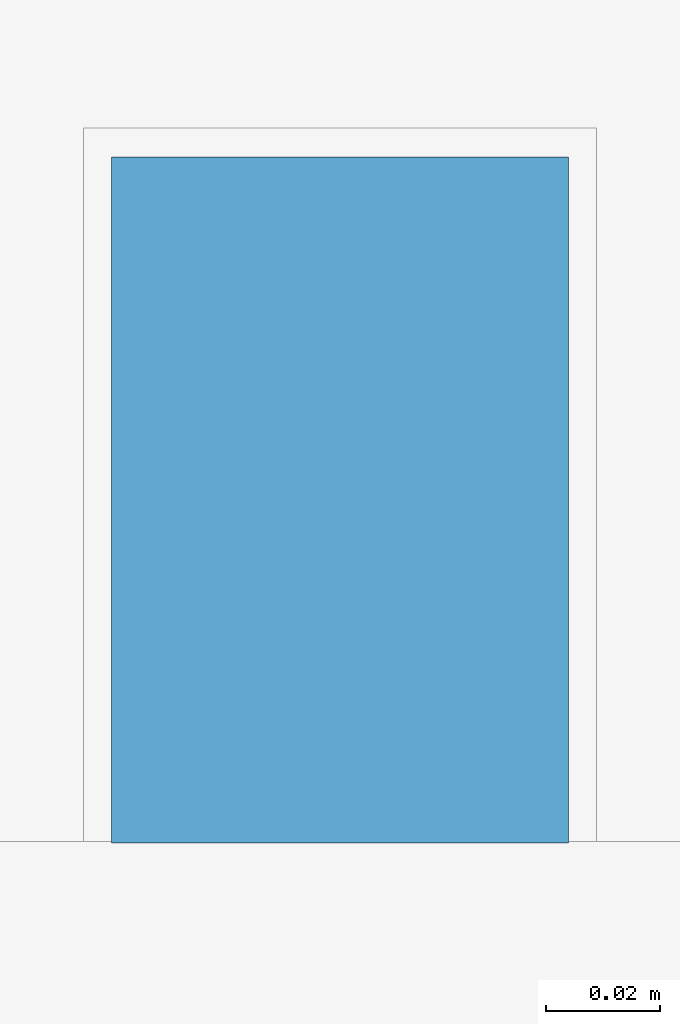
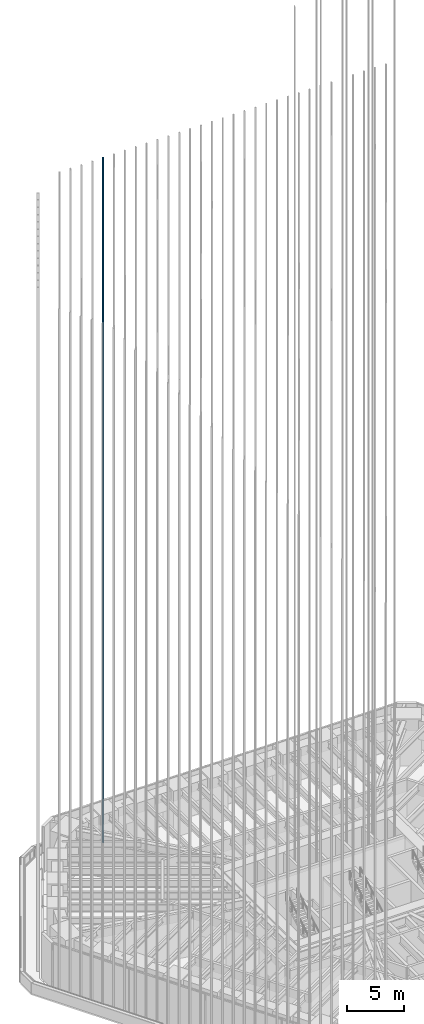
# One storey, part 160 of 228: 1 member, 1 element without a shape of its own.
"""IFC4 building model written with IfcOpenShell, lengths in metres."""

from ifc_helpers import new_model, si_unit, direction, frame, origin, origin_2d, place, context, subcontext, project, spatial, rectangle, extrude, material, material_profile, profile_set, type_object, element, aggregate, save


model = new_model("IFC4")

# Units and contexts
model_context = context("Model", 3, precision=1e-05, world=origin(), true_north=direction((0.0, 1.0)))
body_context = subcontext(model_context, "Body", "Model", "MODEL_VIEW")
ifc_project = project(units=[si_unit("LENGTHUNIT", "METRE"), si_unit("AREAUNIT", "SQUARE_METRE"), si_unit("VOLUMEUNIT", "CUBIC_METRE"), si_unit("PLANEANGLEUNIT", "RADIAN"), si_unit("MASSUNIT", "GRAM", prefix="KILO")], contexts=[model_context])

# Site, building, storey
site_placement = place(None, origin())
site = spatial("IfcSite", under=ifc_project, at=site_placement, CompositionType="ELEMENT")
building_placement = place(site_placement, origin())
building = spatial("IfcBuilding", under=site, at=building_placement, Name="Sandreach Pilgrim Tower", CompositionType="ELEMENT")
storey_placement = place(building_placement, frame((0.0, 0.0, 178.199951171875)))
storey = spatial("IfcBuildingStorey", under=building, at=storey_placement, Name="L44", CompositionType="ELEMENT", Elevation=178.199951171875)

# Curtain wall, member
ifc_material_1 = material(Name="Aluminium framed curtain wall", Category="aluminium")
curtain_wall_type = type_object("IfcCurtainWallType", Name="Upper hotel tower curtain wall", PredefinedType="NOTDEFINED", material=ifc_material_1)
curtain_wall_placement = place(storey_placement, origin())
curtain_wall = element("IfcCurtainWall", 1, at=curtain_wall_placement, inside=storey, type_object=curtain_wall_type, Name="CW-3 L44 N", PredefinedType="NOTDEFINED")
ifc_material_2 = material(Name="Extruded terracotta on aluminium core", Category="masonry")
ifc_material_profile = material_profile(ifc_material_2, rectangle(XDim=0.080078125, YDim=0.1201171875, at=origin_2d()), Name="TBN 80X120")
ifc_profile_set = profile_set([ifc_material_profile], Name="Extruded terracotta on aluminium core")
member_type = type_object("IfcMemberType", Name="Terracotta baguette north", PredefinedType="USERDEFINED", material=ifc_profile_set)
member_placement = place(storey_placement, frame((-12.098388671875, 21.52001953125, 0.0), z_axis=(0.0, 0.0, 1.0), x_axis=(1.0, 0.0, 0.0)))
member = element("IfcMember", 2, at=member_placement, type_object=member_type, Name="Baguette Z3 N05", ObjectType="BAGUETTE", PredefinedType="USERDEFINED", context=body_context, shape_type="SweptSolid", body=[
    extrude(rectangle(XDim=0.080078125, YDim=0.1201171875, at=origin_2d()), origin(), (0.0, 0.0, 1.0), 73.239990234375),
])
aggregate(curtain_wall, [member])

save(model, "model.ifc")
